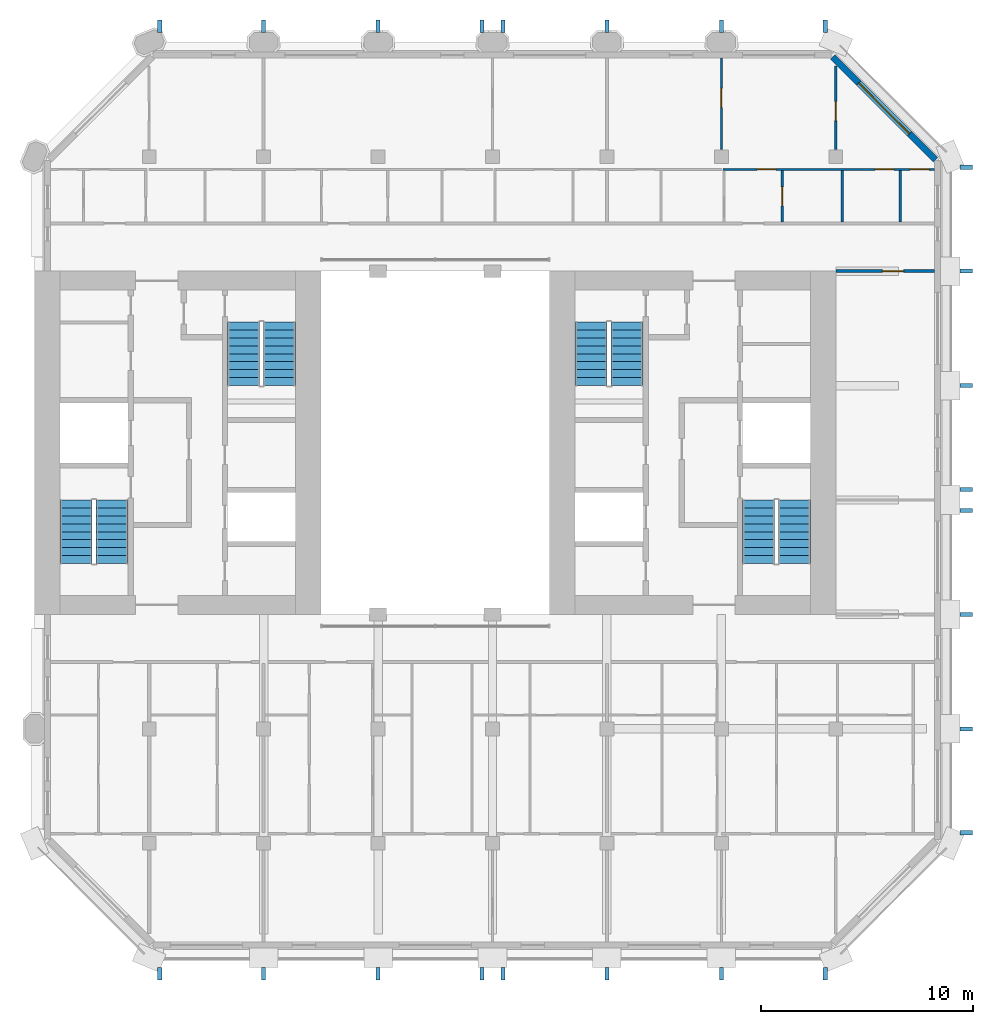
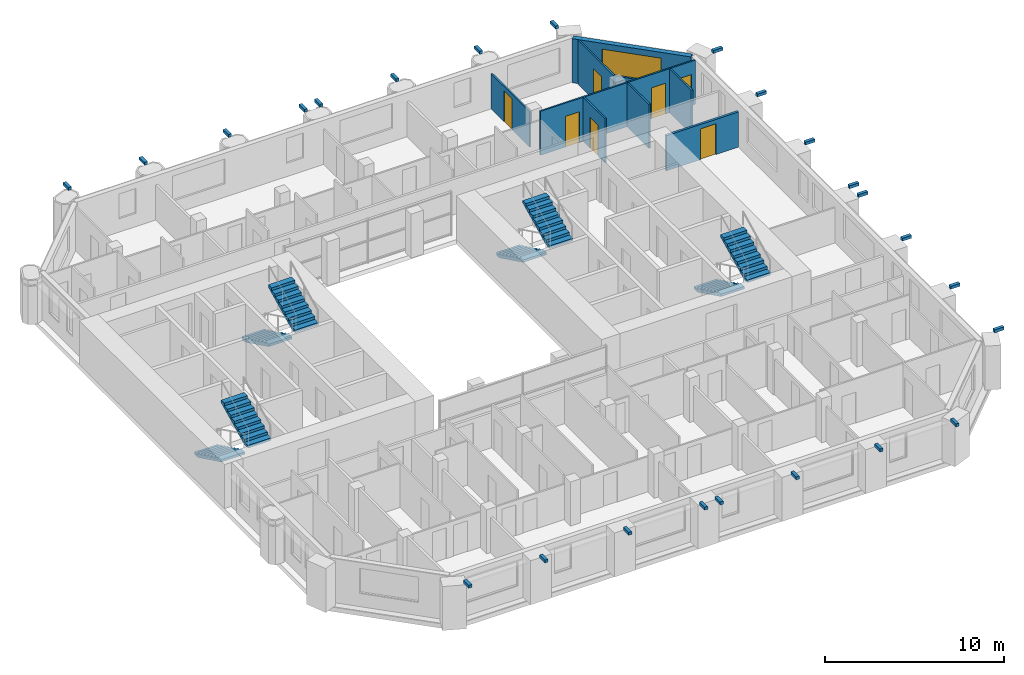
# One storey, part 11 of 14: 24 discrete accessories, 8 stair flights, 8 walls, 7 doors, 1 window, 8 openings, 4 elements without a shape of their own.
"""IFC4 building model written with IfcOpenShell, lengths in metres."""

from ifc_helpers import new_model, si_unit, direction, frame, frame_2d, origin, origin_2d, place, context, subcontext, project, spatial, polyline, rectangle, outline, extrude, material, layer, layer_set, type_object, element, fill, aggregate, save


model = new_model("IFC4")

# Units and contexts
model_context = context("Model", 3, precision=1e-05, world=origin(), true_north=direction((0.0, 1.0)))
body_context = subcontext(model_context, "Body", "Model", "MODEL_VIEW")
ifc_project = project(units=[si_unit("LENGTHUNIT", "METRE"), si_unit("AREAUNIT", "SQUARE_METRE"), si_unit("VOLUMEUNIT", "CUBIC_METRE"), si_unit("PLANEANGLEUNIT", "RADIAN"), si_unit("MASSUNIT", "GRAM", prefix="KILO")], contexts=[model_context])

# Site, building, storey
site_placement = place(None, origin())
site = spatial("IfcSite", under=ifc_project, at=site_placement, CompositionType="ELEMENT")
building_placement = place(site_placement, origin())
building = spatial("IfcBuilding", under=site, at=building_placement, Name="Tabaq Tower and Sports Hall", CompositionType="ELEMENT")
storey_placement = place(building_placement, frame((0.0, 0.0, 285.10009765625)))
storey = spatial("IfcBuildingStorey", under=building, at=storey_placement, Name="L70", CompositionType="ELEMENT", Elevation=285.10009765625)

# Wall, opening, door
ifc_material_1 = material(Name="Gypsum board on steel studs", Category="steel")
ifc_layer_1 = layer(ifc_material_1, 0.10009765625)
ifc_layer_set_1 = layer_set([ifc_layer_1], Name="Partition 100 Gypsum board")
wall_type_1 = type_object("IfcWallType", Name="Partition 100 Gypsum board", PredefinedType="PARTITIONING", material=ifc_layer_set_1)
wall_1_placement = place(storey_placement, frame((37.800048828125, 38.14501953125, 0.0), z_axis=(0.0, 0.0, 1.0), x_axis=(0.0, 1.0, 0.0)))
wall_1 = element("IfcWall", 1, at=wall_1_placement, inside=storey, type_object=wall_type_1, Name="Partition wall L70", PredefinedType="PARTITIONING", context=body_context, shape_type="SweptSolid", body=[
    extrude(rectangle(XDim=4.303955078125, YDim=0.10009765625, at=frame_2d((2.15185546875, 0.0))), origin(), (0.0, 0.0, 1.0), 2.39990234375),
])
opening_1_placement = place(wall_1_placement, frame((1.97998046875, 0.0, 0.0)))
opening_1 = element("IfcOpeningElement", 2, at=opening_1_placement, cuts=wall_1, Name="Opening L70-033", PredefinedType="OPENING", context=body_context, shape_type="SweptSolid", body=[
    extrude(rectangle(XDim=0.89990234375, YDim=2.10009765625, at=frame_2d((0.449951171875, 1.050048828125))), frame((0.0, 0.050048828125, 0.0), z_axis=(0.0, -1.0, 0.0), x_axis=(1.0, 0.0, 0.0)), (0.0, 0.0, 1.0), 0.10009765625),
])
ifc_material_2 = material(Name="Timber leaf in steel frame", Category="steel")
door_type_1 = type_object("IfcDoorType", Name="Internal door 900 right hand", OperationType="SINGLE_SWING_RIGHT", PredefinedType="DOOR", material=ifc_material_2)
door_1_placement = place(opening_1_placement, origin())
door_1 = element("IfcDoor", 3, at=door_1_placement, inside=storey, type_object=door_type_1, Name="Internal door L70-033", OperationType="SINGLE_SWING_RIGHT", OverallHeight=2.10009765625, OverallWidth=0.89990234375, PredefinedType="DOOR", context=body_context, shape_type="SweptSolid", body=[
    extrude(rectangle(XDim=0.89990234375, YDim=2.10009765625, at=frame_2d((0.449951171875, 1.050048828125))), frame((0.0, 0.02490234375, 0.0), z_axis=(0.0, -1.0, 0.0), x_axis=(1.0, 0.0, 0.0)), (0.0, 0.0, 1.0), 0.050048828125),
])
fill(opening_1, door_1)

wall_2_placement = place(storey_placement, frame((43.199951171875, 38.14501953125, 0.0), z_axis=(0.0, 0.0, 1.0), x_axis=(0.0, 1.0, 0.0)))
wall_2 = element("IfcWall", 4, at=wall_2_placement, inside=storey, type_object=wall_type_1, Name="Partition wall L70", PredefinedType="PARTITIONING", context=body_context, shape_type="SweptSolid", body=[
    extrude(rectangle(XDim=3.94287109375, YDim=0.10009765625, at=frame_2d((1.971435546875, 0.0))), origin(), (0.0, 0.0, 1.0), 3.0),
])
opening_2_placement = place(wall_2_placement, frame((1.35498046875, 0.0, 0.0)))
opening_2 = element("IfcOpeningElement", 5, at=opening_2_placement, cuts=wall_2, Name="Opening L70-049", PredefinedType="OPENING", context=body_context, shape_type="SweptSolid", body=[
    extrude(rectangle(XDim=0.89990234375, YDim=2.10009765625, at=frame_2d((0.449951171875, 1.050048828125))), frame((0.0, 0.050048828125, 0.0), z_axis=(0.0, -1.0, 0.0), x_axis=(1.0, 0.0, 0.0)), (0.0, 0.0, 1.0), 0.10009765625),
])
ifc_material_3 = material(Name="Timber leaf in steel frame", Category="steel")
door_type_2 = type_object("IfcDoorType", Name="Internal door 900 left hand", OperationType="SINGLE_SWING_LEFT", PredefinedType="DOOR", material=ifc_material_3)
door_2_placement = place(opening_2_placement, origin())
door_2 = element("IfcDoor", 6, at=door_2_placement, inside=storey, type_object=door_type_2, Name="Internal door L70-049", OperationType="SINGLE_SWING_LEFT", OverallHeight=2.10009765625, OverallWidth=0.89990234375, PredefinedType="DOOR", context=body_context, shape_type="SweptSolid", body=[
    extrude(rectangle(XDim=0.89990234375, YDim=2.10009765625, at=frame_2d((0.449951171875, 1.050048828125))), frame((0.0, 0.02490234375, 0.0), z_axis=(0.0, -1.0, 0.0), x_axis=(1.0, 0.0, 0.0)), (0.0, 0.0, 1.0), 0.050048828125),
])
fill(opening_2, door_2)

# Wall, openings, doors
wall_3_placement = place(storey_placement, frame((37.875, 37.199951171875, 0.0), z_axis=(0.0, 0.0, 1.0), x_axis=(1.0, 0.0, 0.0)))
wall_3 = element("IfcWall", 7, at=wall_3_placement, inside=storey, type_object=wall_type_1, Name="Partition wall L70", PredefinedType="PARTITIONING", context=body_context, shape_type="SweptSolid", body=[
    extrude(rectangle(XDim=9.97412109375, YDim=0.10009765625, at=frame_2d((4.987060546875, 0.0))), origin(), (0.0, 0.0, 1.0), 3.0),
])
opening_3_placement = place(wall_3_placement, frame((7.1650390625, 0.0, 0.0)))
opening_3 = element("IfcOpeningElement", 8, at=opening_3_placement, cuts=wall_3, Name="Opening L70-008", PredefinedType="OPENING", context=body_context, shape_type="SweptSolid", body=[
    extrude(rectangle(XDim=0.89990234375, YDim=2.10009765625, at=frame_2d((0.449951171875, 1.050048828125))), frame((0.0, 0.050048828125, 0.0), z_axis=(0.0, -1.0, 0.0), x_axis=(1.0, 0.0, 0.0)), (0.0, 0.0, 1.0), 0.10009765625),
])
opening_4_placement = place(wall_3_placement, frame((8.823974609375, 0.0, 0.0)))
opening_4 = element("IfcOpeningElement", 9, at=opening_4_placement, cuts=wall_3, Name="Opening L70-009", PredefinedType="OPENING", context=body_context, shape_type="SweptSolid", body=[
    extrude(rectangle(XDim=0.89990234375, YDim=2.10009765625, at=frame_2d((0.449951171875, 1.050048828125))), frame((0.0, 0.050048828125, 0.0), z_axis=(0.0, -1.0, 0.0), x_axis=(1.0, 0.0, 0.0)), (0.0, 0.0, 1.0), 0.10009765625),
])
opening_5_placement = place(wall_3_placement, frame((1.60009765625, 0.0, 0.0)))
opening_5 = element("IfcOpeningElement", 10, at=opening_5_placement, cuts=wall_3, Name="Opening L70-050", PredefinedType="OPENING", context=body_context, shape_type="SweptSolid", body=[
    extrude(rectangle(XDim=0.89990234375, YDim=2.10009765625, at=frame_2d((0.449951171875, 1.050048828125))), frame((0.0, 0.050048828125, 0.0), z_axis=(0.0, -1.0, 0.0), x_axis=(1.0, 0.0, 0.0)), (0.0, 0.0, 1.0), 0.10009765625),
])
door_3_placement = place(opening_4_placement, origin())
door_3 = element("IfcDoor", 11, at=door_3_placement, inside=storey, type_object=door_type_2, Name="Internal door L70-009", OperationType="SINGLE_SWING_LEFT", OverallHeight=2.10009765625, OverallWidth=0.89990234375, PredefinedType="DOOR", context=body_context, shape_type="SweptSolid", body=[
    extrude(rectangle(XDim=0.89990234375, YDim=2.10009765625, at=frame_2d((0.449951171875, 1.050048828125))), frame((0.0, 0.02490234375, 0.0), z_axis=(0.0, -1.0, 0.0), x_axis=(1.0, 0.0, 0.0)), (0.0, 0.0, 1.0), 0.050048828125),
])
fill(opening_4, door_3)
door_4_placement = place(opening_5_placement, origin())
door_4 = element("IfcDoor", 12, at=door_4_placement, inside=storey, type_object=door_type_2, Name="Internal door L70-050", OperationType="SINGLE_SWING_LEFT", OverallHeight=2.10009765625, OverallWidth=0.89990234375, PredefinedType="DOOR", context=body_context, shape_type="SweptSolid", body=[
    extrude(rectangle(XDim=0.89990234375, YDim=2.10009765625, at=frame_2d((0.449951171875, 1.050048828125))), frame((0.0, 0.02490234375, 0.0), z_axis=(0.0, -1.0, 0.0), x_axis=(1.0, 0.0, 0.0)), (0.0, 0.0, 1.0), 0.050048828125),
])
fill(opening_5, door_4)
door_5_placement = place(opening_3_placement, origin())
door_5 = element("IfcDoor", 13, at=door_5_placement, inside=storey, type_object=door_type_1, Name="Internal door L70-008", OperationType="SINGLE_SWING_RIGHT", OverallHeight=2.10009765625, OverallWidth=0.89990234375, PredefinedType="DOOR", context=body_context, shape_type="SweptSolid", body=[
    extrude(rectangle(XDim=0.89990234375, YDim=2.10009765625, at=frame_2d((0.449951171875, 1.050048828125))), frame((0.0, 0.02490234375, 0.0), z_axis=(0.0, -1.0, 0.0), x_axis=(1.0, 0.0, 0.0)), (0.0, 0.0, 1.0), 0.050048828125),
])
fill(opening_3, door_5)

# Wall, opening, door
wall_4_placement = place(storey_placement, frame((40.675048828125, 34.72509765625, 0.0), z_axis=(0.0, 0.0, 1.0), x_axis=(0.0, 1.0, 0.0)))
wall_4 = element("IfcWall", 14, at=wall_4_placement, inside=storey, type_object=wall_type_1, Name="Partition wall L70", PredefinedType="PARTITIONING", context=body_context, shape_type="SweptSolid", body=[
    extrude(rectangle(XDim=2.4248046875, YDim=0.10009765625, at=frame_2d((1.21240234375, 0.0))), origin(), (0.0, 0.0, 1.0), 3.0),
])
opening_6_placement = place(wall_4_placement, frame((0.75, 0.0, 0.0)))
opening_6 = element("IfcOpeningElement", 15, at=opening_6_placement, cuts=wall_4, Name="Opening L70-011", PredefinedType="OPENING", context=body_context, shape_type="SweptSolid", body=[
    extrude(rectangle(XDim=0.89990234375, YDim=2.10009765625, at=frame_2d((0.449951171875, 1.050048828125))), frame((0.0, 0.050048828125, 0.0), z_axis=(0.0, -1.0, 0.0), x_axis=(1.0, 0.0, 0.0)), (0.0, 0.0, 1.0), 0.10009765625),
])
door_6_placement = place(opening_6_placement, origin())
door_6 = element("IfcDoor", 16, at=door_6_placement, inside=storey, type_object=door_type_2, Name="Internal door L70-011", OperationType="SINGLE_SWING_LEFT", OverallHeight=2.10009765625, OverallWidth=0.89990234375, PredefinedType="DOOR", context=body_context, shape_type="SweptSolid", body=[
    extrude(rectangle(XDim=0.89990234375, YDim=2.10009765625, at=frame_2d((0.449951171875, 1.050048828125))), frame((0.0, 0.02490234375, 0.0), z_axis=(0.0, -1.0, 0.0), x_axis=(1.0, 0.0, 0.0)), (0.0, 0.0, 1.0), 0.050048828125),
])
fill(opening_6, door_6)

# Walls
for number, where, z_axis, x_axis, name in (
    (17, (43.5048828125, 34.72509765625, 0.0), (0.0, 0.0, 1.0), (0.0, 1.0, 0.0), "Partition wall L70"),
    (18, (46.239990234375, 34.72509765625, 0.0), (0.0, 0.0, 1.0), (0.0, 1.0, 0.0), "Partition wall L70"),
):
    element("IfcWall", number, at=place(storey_placement, frame(where, z_axis=z_axis, x_axis=x_axis)), inside=storey, type_object=wall_type_1, Name=name, PredefinedType="PARTITIONING", context=body_context, shape_type="SweptSolid", body=[
        extrude(rectangle(XDim=2.4248046875, YDim=0.10009765625, at=frame_2d((1.21240234375, 0.0))), origin(), (0.0, 0.0, 1.0), 3.0),
    ])

# Wall, opening, door
ifc_material_4 = material(Name="Blockwork", Category="masonry")
ifc_layer_2 = layer(ifc_material_4, 0.14990234375)
ifc_layer_set_2 = layer_set([ifc_layer_2], Name="Separating wall 150 Blockwork")
wall_type_2 = type_object("IfcWallType", Name="Separating wall 150 Blockwork", PredefinedType="PARTITIONING", material=ifc_layer_set_2)
wall_5_placement = place(storey_placement, frame((47.84912109375, 32.39990234375, 0.0), z_axis=(0.0, 0.0, 1.0), x_axis=(-1.0, 0.0, 0.0)))
wall_5 = element("IfcWall", 19, at=wall_5_placement, inside=storey, type_object=wall_type_2, Name="Separating wall L70", PredefinedType="PARTITIONING", context=body_context, shape_type="SweptSolid", body=[
    extrude(rectangle(XDim=4.649169921875, YDim=0.14990234375, at=frame_2d((2.32470703125, 0.0))), origin(), (0.0, 0.0, 1.0), 2.39990234375),
])
opening_7_placement = place(wall_5_placement, frame((1.448974609375, 0.0, 0.0)))
opening_7 = element("IfcOpeningElement", 20, at=opening_7_placement, cuts=wall_5, Name="Opening L70-012", PredefinedType="OPENING", context=body_context, shape_type="SweptSolid", body=[
    extrude(rectangle(XDim=1.0, YDim=2.10009765625, at=frame_2d((0.5, 1.050048828125))), frame((0.0, 0.074951171875, 0.0), z_axis=(0.0, -1.0, 0.0), x_axis=(1.0, 0.0, 0.0)), (0.0, 0.0, 1.0), 0.14990234375),
])
ifc_material_5 = material(Name="Timber leaf in steel frame", Category="steel")
door_type_3 = type_object("IfcDoorType", Name="Internal door 1000 right hand", OperationType="SINGLE_SWING_RIGHT", PredefinedType="DOOR", material=ifc_material_5)
door_7_placement = place(opening_7_placement, origin())
door_7 = element("IfcDoor", 21, at=door_7_placement, inside=storey, type_object=door_type_3, Name="Internal door L70-012", OperationType="SINGLE_SWING_RIGHT", OverallHeight=2.10009765625, OverallWidth=1.0, PredefinedType="DOOR", context=body_context, shape_type="SweptSolid", body=[
    extrude(rectangle(XDim=1.0, YDim=2.10009765625, at=frame_2d((0.5, 1.050048828125))), frame((0.0, 0.02490234375, 0.0), z_axis=(0.0, -1.0, 0.0), x_axis=(1.0, 0.0, 0.0)), (0.0, 0.0, 1.0), 0.050048828125),
])
fill(opening_7, door_7)

# Wall, opening, window
ifc_material_6 = material(Name="White precast concrete C60/75", Category="concrete")
ifc_layer_3 = layer(ifc_material_6, 0.300048828125)
ifc_layer_set_3 = layer_set([ifc_layer_3], Name="White precast concrete C60/75 external wall 300")
wall_type_3 = type_object("IfcWallType", Name="White precast concrete C60/75 external wall 300", PredefinedType="SOLIDWALL", material=ifc_layer_set_3)
wall_6_placement = place(storey_placement, frame((47.901123046875, 37.650390625, 0.0), z_axis=(0.0, 0.0, 1.0), x_axis=(-0.707106781187, 0.707106781187, 0.0)))
wall_6 = element("IfcWall", 22, at=wall_6_placement, inside=storey, type_object=wall_type_3, Name="External Wall L70 NE", PredefinedType="SOLIDWALL", context=body_context, shape_type="SweptSolid", body=[
    extrude(rectangle(XDim=6.85986328125, YDim=0.300048828125, at=frame_2d((3.429931640625, 0.0))), origin(), (0.0, 0.0, 1.0), 3.0),
])
opening_8_placement = place(wall_6_placement, frame((1.729736328125, 0.0, 0.89990234375)))
opening_8 = element("IfcOpeningElement", 23, at=opening_8_placement, cuts=wall_6, Name="Opening W1A", PredefinedType="OPENING", context=body_context, shape_type="SweptSolid", body=[
    extrude(rectangle(XDim=3.39990234375, YDim=1.699951171875, at=frame_2d((1.699951171875, 0.85009765625))), frame((0.0, 0.16015625, 0.0), z_axis=(0.0, -1.0, 0.0), x_axis=(1.0, 0.0, 0.0)), (0.0, 0.0, 1.0), 0.320068359375),
])
ifc_material_7 = material(Name="Aluminium framed clear glazing", Category="aluminium")
window_type = type_object("IfcWindowType", Name="Window W1A", PartitioningType="SINGLE_PANEL", PredefinedType="WINDOW", material=ifc_material_7)
window_placement = place(opening_8_placement, origin())
window = element("IfcWindow", 24, at=window_placement, inside=storey, type_object=window_type, Name="Window W1A L70", OverallHeight=1.699951171875, OverallWidth=3.39990234375, PartitioningType="SINGLE_PANEL", PredefinedType="WINDOW", context=body_context, shape_type="SweptSolid", body=[
    extrude(rectangle(XDim=3.39990234375, YDim=1.699951171875, at=frame_2d((1.699951171875, 0.85009765625))), frame((0.0, 0.030029296875, 0.0), z_axis=(0.0, -1.0, 0.0), x_axis=(1.0, 0.0, 0.0)), (0.0, 0.0, 1.0), 0.06005859375),
])
fill(opening_8, window)

# Stair, stair flights
ifc_material_8 = material(Name="Concrete C40/50", Category="concrete")
stair_type = type_object("IfcStairType", Name="Exit stair", PredefinedType="HALF_TURN_STAIR", material=ifc_material_8)
stair_1_placement = place(storey_placement, origin())
stair_1 = element("IfcStair", 25, at=stair_1_placement, inside=storey, type_object=stair_type, Name="L70 Exit stair ST1", PredefinedType="HALF_TURN_STAIR")
ifc_material_9 = material(Name="Concrete C40/50", Category="concrete")
stair_flight_type = type_object("IfcStairFlightType", Name="Exit stair flight", PredefinedType="STRAIGHT", material=ifc_material_9)
stair_flight_1_placement = place(storey_placement, frame((7.35009765625, 21.60009765625, 0.0), z_axis=(0.0, 0.0, 1.0), x_axis=(0.0, -1.0, 0.0)))
stair_flight_1 = element("IfcStairFlight", 26, at=stair_flight_1_placement, type_object=stair_flight_type, Name="ST1 flight 1", NumberOfRisers=9, NumberOfTreads=8, PredefinedType="STRAIGHT", RiserHeight=0.183333333, TreadLength=0.375, context=body_context, shape_type="SweptSolid", body=[
    extrude(outline(polyline([(0.0, 0.0), (0.0, 0.183349609375), (0.375, 0.183349609375), (0.375, 0.36669921875), (0.75, 0.36669921875), (0.75, 0.550048828125), (1.125, 0.550048828125), (1.125, 0.7333984375), (1.5, 0.7333984375), (1.5, 0.916748046875), (1.875, 0.916748046875), (1.875, 1.10009765625), (2.25, 1.10009765625), (2.25, 1.283447265625), (2.625, 1.283447265625), (2.625, 1.466552734375), (3.0, 1.466552734375), (3.0, 1.64990234375), (3.0, 1.2998046875), (0.34130859375, 0.0), (0.0, 0.0)])), frame((0.0, 0.75, 0.0), z_axis=(0.0, -1.0, 0.0), x_axis=(1.0, 0.0, 0.0)), (0.0, 0.0, 1.0), 1.5),
])
stair_flight_2_placement = place(storey_placement, frame((9.050048828125, 18.60009765625, 1.64990234375), z_axis=(0.0, 0.0, 1.0), x_axis=(0.0, 1.0, 0.0)))
stair_flight_2 = element("IfcStairFlight", 27, at=stair_flight_2_placement, type_object=stair_flight_type, Name="ST1 flight 2", NumberOfRisers=9, NumberOfTreads=8, PredefinedType="STRAIGHT", RiserHeight=0.183333333, TreadLength=0.375, context=body_context, shape_type="SweptSolid", body=[
    extrude(outline(polyline([(0.0, 0.0), (0.0, 0.183349609375), (0.375, 0.183349609375), (0.375, 0.36669921875), (0.75, 0.36669921875), (0.75, 0.550048828125), (1.125, 0.550048828125), (1.125, 0.7333984375), (1.5, 0.7333984375), (1.5, 0.916748046875), (1.875, 0.916748046875), (1.875, 1.10009765625), (2.25, 1.10009765625), (2.25, 1.283447265625), (2.625, 1.283447265625), (2.625, 1.466552734375), (3.0, 1.466552734375), (3.0, 1.64990234375), (3.0, 1.2998046875), (0.34130859375, 0.0), (0.0, 0.0)])), frame((0.0, 0.75, 0.0), z_axis=(0.0, -1.0, 0.0), x_axis=(1.0, 0.0, 0.0)), (0.0, 0.0, 1.0), 1.5),
])
aggregate(stair_1, [stair_flight_1, stair_flight_2])

stair_2_placement = place(storey_placement, origin())
stair_2 = element("IfcStair", 28, at=stair_2_placement, inside=storey, type_object=stair_type, Name="L70 Exit stair ST2", PredefinedType="HALF_TURN_STAIR")
stair_flight_3_placement = place(storey_placement, frame((15.25, 30.0, 0.0), z_axis=(0.0, 0.0, 1.0), x_axis=(0.0, -1.0, 0.0)))
stair_flight_3 = element("IfcStairFlight", 29, at=stair_flight_3_placement, type_object=stair_flight_type, Name="ST2 flight 1", NumberOfRisers=9, NumberOfTreads=8, PredefinedType="STRAIGHT", RiserHeight=0.183333333, TreadLength=0.375, context=body_context, shape_type="SweptSolid", body=[
    extrude(outline(polyline([(0.0, 0.0), (0.0, 0.183349609375), (0.375, 0.183349609375), (0.375, 0.36669921875), (0.75, 0.36669921875), (0.75, 0.550048828125), (1.125, 0.550048828125), (1.125, 0.7333984375), (1.5, 0.7333984375), (1.5, 0.916748046875), (1.875, 0.916748046875), (1.875, 1.10009765625), (2.25, 1.10009765625), (2.25, 1.283447265625), (2.625, 1.283447265625), (2.625, 1.466552734375), (3.0, 1.466552734375), (3.0, 1.64990234375), (3.0, 1.2998046875), (0.34130859375, 0.0), (0.0, 0.0)])), frame((0.0, 0.75, 0.0), z_axis=(0.0, -1.0, 0.0), x_axis=(1.0, 0.0, 0.0)), (0.0, 0.0, 1.0), 1.5),
])
stair_flight_4_placement = place(storey_placement, frame((16.949951171875, 27.0, 1.64990234375), z_axis=(0.0, 0.0, 1.0), x_axis=(0.0, 1.0, 0.0)))
stair_flight_4 = element("IfcStairFlight", 30, at=stair_flight_4_placement, type_object=stair_flight_type, Name="ST2 flight 2", NumberOfRisers=9, NumberOfTreads=8, PredefinedType="STRAIGHT", RiserHeight=0.183333333, TreadLength=0.375, context=body_context, shape_type="SweptSolid", body=[
    extrude(outline(polyline([(0.0, 0.0), (0.0, 0.183349609375), (0.375, 0.183349609375), (0.375, 0.36669921875), (0.75, 0.36669921875), (0.75, 0.550048828125), (1.125, 0.550048828125), (1.125, 0.7333984375), (1.5, 0.7333984375), (1.5, 0.916748046875), (1.875, 0.916748046875), (1.875, 1.10009765625), (2.25, 1.10009765625), (2.25, 1.283447265625), (2.625, 1.283447265625), (2.625, 1.466552734375), (3.0, 1.466552734375), (3.0, 1.64990234375), (3.0, 1.2998046875), (0.34130859375, 0.0), (0.0, 0.0)])), frame((0.0, 0.75, 0.0), z_axis=(0.0, -1.0, 0.0), x_axis=(1.0, 0.0, 0.0)), (0.0, 0.0, 1.0), 1.5),
])
aggregate(stair_2, [stair_flight_3, stair_flight_4])

stair_3_placement = place(storey_placement, origin())
stair_3 = element("IfcStair", 31, at=stair_3_placement, inside=storey, type_object=stair_type, Name="L70 Exit stair ST3", PredefinedType="HALF_TURN_STAIR")
stair_flight_5_placement = place(storey_placement, frame((39.550048828125, 21.60009765625, 0.0), z_axis=(0.0, 0.0, 1.0), x_axis=(0.0, -1.0, 0.0)))
stair_flight_5 = element("IfcStairFlight", 32, at=stair_flight_5_placement, type_object=stair_flight_type, Name="ST3 flight 1", NumberOfRisers=9, NumberOfTreads=8, PredefinedType="STRAIGHT", RiserHeight=0.183333333, TreadLength=0.375, context=body_context, shape_type="SweptSolid", body=[
    extrude(outline(polyline([(0.0, 0.0), (0.0, 0.183349609375), (0.375, 0.183349609375), (0.375, 0.36669921875), (0.75, 0.36669921875), (0.75, 0.550048828125), (1.125, 0.550048828125), (1.125, 0.7333984375), (1.5, 0.7333984375), (1.5, 0.916748046875), (1.875, 0.916748046875), (1.875, 1.10009765625), (2.25, 1.10009765625), (2.25, 1.283447265625), (2.625, 1.283447265625), (2.625, 1.466552734375), (3.0, 1.466552734375), (3.0, 1.64990234375), (3.0, 1.2998046875), (0.34130859375, 0.0), (0.0, 0.0)])), frame((0.0, 0.75, 0.0), z_axis=(0.0, -1.0, 0.0), x_axis=(1.0, 0.0, 0.0)), (0.0, 0.0, 1.0), 1.5),
])
stair_flight_6_placement = place(storey_placement, frame((41.25, 18.60009765625, 1.64990234375), z_axis=(0.0, 0.0, 1.0), x_axis=(0.0, 1.0, 0.0)))
stair_flight_6 = element("IfcStairFlight", 33, at=stair_flight_6_placement, type_object=stair_flight_type, Name="ST3 flight 2", NumberOfRisers=9, NumberOfTreads=8, PredefinedType="STRAIGHT", RiserHeight=0.183333333, TreadLength=0.375, context=body_context, shape_type="SweptSolid", body=[
    extrude(outline(polyline([(0.0, 0.0), (0.0, 0.183349609375), (0.375, 0.183349609375), (0.375, 0.36669921875), (0.75, 0.36669921875), (0.75, 0.550048828125), (1.125, 0.550048828125), (1.125, 0.7333984375), (1.5, 0.7333984375), (1.5, 0.916748046875), (1.875, 0.916748046875), (1.875, 1.10009765625), (2.25, 1.10009765625), (2.25, 1.283447265625), (2.625, 1.283447265625), (2.625, 1.466552734375), (3.0, 1.466552734375), (3.0, 1.64990234375), (3.0, 1.2998046875), (0.34130859375, 0.0), (0.0, 0.0)])), frame((0.0, 0.75, 0.0), z_axis=(0.0, -1.0, 0.0), x_axis=(1.0, 0.0, 0.0)), (0.0, 0.0, 1.0), 1.5),
])
aggregate(stair_3, [stair_flight_5, stair_flight_6])

stair_4_placement = place(storey_placement, origin())
stair_4 = element("IfcStair", 34, at=stair_4_placement, inside=storey, type_object=stair_type, Name="L70 Exit stair ST4", PredefinedType="HALF_TURN_STAIR")
stair_flight_7_placement = place(storey_placement, frame((31.64990234375, 30.0, 0.0), z_axis=(0.0, 0.0, 1.0), x_axis=(0.0, -1.0, 0.0)))
stair_flight_7 = element("IfcStairFlight", 35, at=stair_flight_7_placement, type_object=stair_flight_type, Name="ST4 flight 1", NumberOfRisers=9, NumberOfTreads=8, PredefinedType="STRAIGHT", RiserHeight=0.183333333, TreadLength=0.375, context=body_context, shape_type="SweptSolid", body=[
    extrude(outline(polyline([(0.0, 0.0), (0.0, 0.183349609375), (0.375, 0.183349609375), (0.375, 0.36669921875), (0.75, 0.36669921875), (0.75, 0.550048828125), (1.125, 0.550048828125), (1.125, 0.7333984375), (1.5, 0.7333984375), (1.5, 0.916748046875), (1.875, 0.916748046875), (1.875, 1.10009765625), (2.25, 1.10009765625), (2.25, 1.283447265625), (2.625, 1.283447265625), (2.625, 1.466552734375), (3.0, 1.466552734375), (3.0, 1.64990234375), (3.0, 1.2998046875), (0.34130859375, 0.0), (0.0, 0.0)])), frame((0.0, 0.75, 0.0), z_axis=(0.0, -1.0, 0.0), x_axis=(1.0, 0.0, 0.0)), (0.0, 0.0, 1.0), 1.5),
])
stair_flight_8_placement = place(storey_placement, frame((33.35009765625, 27.0, 1.64990234375), z_axis=(0.0, 0.0, 1.0), x_axis=(0.0, 1.0, 0.0)))
stair_flight_8 = element("IfcStairFlight", 36, at=stair_flight_8_placement, type_object=stair_flight_type, Name="ST4 flight 2", NumberOfRisers=9, NumberOfTreads=8, PredefinedType="STRAIGHT", RiserHeight=0.183333333, TreadLength=0.375, context=body_context, shape_type="SweptSolid", body=[
    extrude(outline(polyline([(0.0, 0.0), (0.0, 0.183349609375), (0.375, 0.183349609375), (0.375, 0.36669921875), (0.75, 0.36669921875), (0.75, 0.550048828125), (1.125, 0.550048828125), (1.125, 0.7333984375), (1.5, 0.7333984375), (1.5, 0.916748046875), (1.875, 0.916748046875), (1.875, 1.10009765625), (2.25, 1.10009765625), (2.25, 1.283447265625), (2.625, 1.283447265625), (2.625, 1.466552734375), (3.0, 1.466552734375), (3.0, 1.64990234375), (3.0, 1.2998046875), (0.34130859375, 0.0), (0.0, 0.0)])), frame((0.0, 0.75, 0.0), z_axis=(0.0, -1.0, 0.0), x_axis=(1.0, 0.0, 0.0)), (0.0, 0.0, 1.0), 1.5),
])
aggregate(stair_4, [stair_flight_7, stair_flight_8])

# Discrete accessories
for number, where, z_axis, x_axis, name in (
    (37, (11.300048828125, -0.75, 3.0), (0.0, 0.0, 1.0), (0.0, -1.0, 0.0), "Stainless steel bracket"),
    (38, (16.199951171875, -0.75, 3.0), (0.0, 0.0, 1.0), (0.0, -1.0, 0.0), "Stainless steel bracket"),
    (39, (21.60009765625, -0.75, 3.0), (0.0, 0.0, 1.0), (0.0, -1.0, 0.0), "Stainless steel bracket"),
    (40, (26.5, -0.75, 3.0), (0.0, 0.0, 1.0), (0.0, -1.0, 0.0), "Stainless steel bracket"),
    (41, (27.5, -0.75, 3.0), (0.0, 0.0, 1.0), (0.0, -1.0, 0.0), "Stainless steel bracket"),
    (42, (32.39990234375, -0.75, 3.0), (0.0, 0.0, 1.0), (0.0, -1.0, 0.0), "Stainless steel bracket"),
    (43, (37.800048828125, -0.75, 3.0), (0.0, 0.0, 1.0), (0.0, -1.0, 0.0), "Stainless steel bracket"),
    (44, (42.699951171875, -0.75, 3.0), (0.0, 0.0, 1.0), (0.0, -1.0, 0.0), "Stainless steel bracket"),
    (45, (49.35009765625, 5.89990234375, 3.0), (0.0, 0.0, 1.0), (1.0, 0.0, 0.0), "Stainless steel bracket"),
    (46, (49.35009765625, 10.800048828125, 3.0), (0.0, 0.0, 1.0), (1.0, 0.0, 0.0), "Stainless steel bracket"),
    (47, (49.35009765625, 16.199951171875, 3.0), (0.0, 0.0, 1.0), (1.0, 0.0, 0.0), "Stainless steel bracket"),
    (48, (49.35009765625, 21.10009765625, 3.0), (0.0, 0.0, 1.0), (1.0, 0.0, 0.0), "Stainless steel bracket"),
    (49, (49.35009765625, 22.10009765625, 3.0), (0.0, 0.0, 1.0), (1.0, 0.0, 0.0), "Stainless steel bracket"),
    (50, (49.35009765625, 27.0, 3.0), (0.0, 0.0, 1.0), (1.0, 0.0, 0.0), "Stainless steel bracket"),
    (51, (49.35009765625, 32.39990234375, 3.0), (0.0, 0.0, 1.0), (1.0, 0.0, 0.0), "Stainless steel bracket"),
    (52, (49.35009765625, 37.300048828125, 3.0), (0.0, 0.0, 1.0), (1.0, 0.0, 0.0), "Stainless steel bracket"),
    (53, (42.699951171875, 43.949951171875, 3.0), (0.0, 0.0, 1.0), (0.0, 1.0, 0.0), "Stainless steel bracket"),
    (54, (37.800048828125, 43.949951171875, 3.0), (0.0, 0.0, 1.0), (0.0, 1.0, 0.0), "Stainless steel bracket"),
    (55, (32.39990234375, 43.949951171875, 3.0), (0.0, 0.0, 1.0), (0.0, 1.0, 0.0), "Stainless steel bracket"),
    (56, (27.5, 43.949951171875, 3.0), (0.0, 0.0, 1.0), (0.0, 1.0, 0.0), "Stainless steel bracket"),
    (57, (26.5, 43.949951171875, 3.0), (0.0, 0.0, 1.0), (0.0, 1.0, 0.0), "Stainless steel bracket"),
    (58, (21.60009765625, 43.949951171875, 3.0), (0.0, 0.0, 1.0), (0.0, 1.0, 0.0), "Stainless steel bracket"),
    (59, (16.199951171875, 43.949951171875, 3.0), (0.0, 0.0, 1.0), (0.0, 1.0, 0.0), "Stainless steel bracket"),
    (60, (11.300048828125, 43.949951171875, 3.0), (0.0, 0.0, 1.0), (0.0, 1.0, 0.0), "Stainless steel bracket"),
):
    element("IfcDiscreteAccessory", number, at=place(storey_placement, frame(where, z_axis=z_axis, x_axis=x_axis)), inside=storey, Name=name, PredefinedType="BRACKET", context=body_context, shape_type="SweptSolid", body=[
        extrude(rectangle(XDim=0.60009765625, YDim=0.199951171875, at=origin_2d()), origin(), (0.0, 0.0, 1.0), 0.199951171875),
    ])

save(model, "model.ifc")
